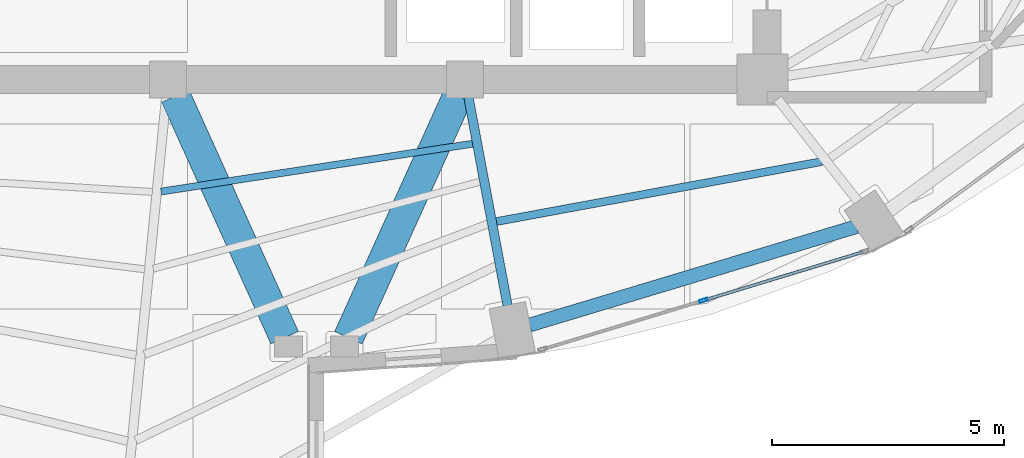
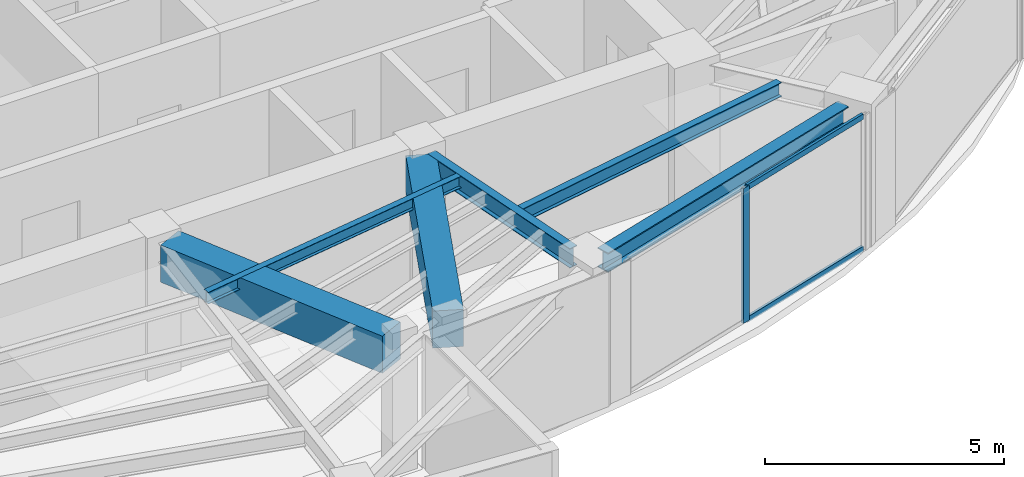
# One storey, part 6 of 22: 6 beams, 3 members, 1 element without a shape of its own.
"""IFC4 building model written with IfcOpenShell, lengths in metres."""

from ifc_helpers import new_model, si_unit, direction, frame, origin, origin_2d, place, context, subcontext, project, spatial, rectangle, hollow_rectangle, i_section, extrude, material, layer, layer_set, material_profile, profile_set, type_object, element, aggregate, save


model = new_model("IFC4")

# Units and contexts
model_context = context("Model", 3, precision=1e-05, world=origin(), true_north=direction((0.0, 1.0)))
body_context = subcontext(model_context, "Body", "Model", "MODEL_VIEW")
ifc_project = project(units=[si_unit("LENGTHUNIT", "METRE"), si_unit("AREAUNIT", "SQUARE_METRE"), si_unit("VOLUMEUNIT", "CUBIC_METRE"), si_unit("PLANEANGLEUNIT", "RADIAN"), si_unit("MASSUNIT", "GRAM", prefix="KILO")], contexts=[model_context])

# Site, building, storey
site_placement = place(None, origin())
site = spatial("IfcSite", under=ifc_project, at=site_placement, CompositionType="ELEMENT")
building_placement = place(site_placement, origin())
building = spatial("IfcBuilding", under=site, at=building_placement, Name="Lazwardi Medical Tower", CompositionType="ELEMENT")
storey_placement = place(building_placement, frame((0.0, 0.0, 224.01611328125)))
storey = spatial("IfcBuildingStorey", under=building, at=storey_placement, Name="L58", CompositionType="ELEMENT", Elevation=224.01611328125)

# Beams
ifc_material_1 = material(Name="Concrete C60/75", Category="concrete")
ifc_material_profile_1 = material_profile(ifc_material_1, rectangle(XDim=0.64990234375, YDim=0.949951171875, at=origin_2d()), Name="RC 650x950")
ifc_profile_set_1 = profile_set([ifc_material_profile_1], Name="Concrete C60/75")
beam_type_1 = type_object("IfcBeamType", Name="BM-CB-RC2", PredefinedType="LINTEL", material=ifc_profile_set_1)
for number, where, z_axis, x_axis, name in (
    (1, (32.95849609375, 20.04931640625, 2.972900390625), (0.412019279944, -0.911175127489, 0.0), (0.911175127489, 0.412019279944, 0.0), "Core coupling lintel CB-02 PL3 L58"),
    (2, (39.04150390625, 20.04931640625, 2.972900390625), (-0.412019279944, -0.911175127489, 0.0), (0.911175127489, -0.412019279944, 0.0), "Core coupling lintel CB-02 PL4 L58"),
):
    element("IfcBeam", number, at=place(storey_placement, frame(where, z_axis=z_axis, x_axis=x_axis)), inside=storey, type_object=beam_type_1, Name=name, PredefinedType="LINTEL", context=body_context, shape_type="SweptSolid", body=[
        extrude(rectangle(XDim=0.64990234375, YDim=0.949951171875, at=origin_2d()), origin(), (0.0, 0.0, 1.0), 5.7158203125),
    ])
ifc_material_2 = material(Name="Steel S355", Category="steel")
ifc_material_profile_2 = material_profile(ifc_material_2, i_section(OverallWidth=0.300048828125, OverallDepth=0.5, WebThickness=0.014404296875, FlangeThickness=0.028076171875, at=origin_2d()), Name="HEB 500")
ifc_profile_set_2 = profile_set([ifc_material_profile_2], Name="Steel S355")
beam_type_2 = type_object("IfcBeamType", Name="BM-RB-Z4", PredefinedType="BEAM", material=ifc_profile_set_2)
beam_1_placement = place(storey_placement, frame((40.58740234375, 15.114013671875, 3.197998046875), z_axis=(0.957544311906, 0.288286126506, 0.0), x_axis=(-0.288286126506, 0.957544311906, 0.0)))
element("IfcBeam", 3, at=beam_1_placement, inside=storey, type_object=beam_type_2, Name="Ring beam RB-05 B01 L58", PredefinedType="BEAM", context=body_context, shape_type="SweptSolid", body=[
    extrude(i_section(OverallWidth=0.300048828125, OverallDepth=0.5, WebThickness=0.014404296875, FlangeThickness=0.028076171875, at=origin_2d()), origin(), (0.0, 0.0, 1.0), 7.3515625),
])
ifc_material_profile_3 = material_profile(ifc_material_2, i_section(OverallWidth=0.199951171875, OverallDepth=0.5, WebThickness=0.01025390625, FlangeThickness=0.01611328125, at=origin_2d()), Name="IPE 500")
ifc_profile_set_3 = profile_set([ifc_material_profile_3], Name="Steel S355")
beam_type_3 = type_object("IfcBeamType", Name="BM-RG-W3", PredefinedType="BEAM", material=ifc_profile_set_3)
beam_2_placement = place(storey_placement, frame((40.115234375, 15.527587890625, 3.197998046875), z_axis=(-0.184633463507, 0.982807450192, 0.0), x_axis=(-0.982807450192, -0.184633463507, 0.0)))
element("IfcBeam", 4, at=beam_2_placement, inside=storey, type_object=beam_type_3, Name="Radial girder RG-04 R01 L58", PredefinedType="BEAM", context=body_context, shape_type="SweptSolid", body=[
    extrude(i_section(OverallWidth=0.199951171875, OverallDepth=0.5, WebThickness=0.01025390625, FlangeThickness=0.01611328125, at=origin_2d()), origin(), (0.0, 0.0, 1.0), 4.572509765625),
])
ifc_material_profile_4 = material_profile(ifc_material_2, i_section(OverallWidth=0.169921875, OverallDepth=0.360107421875, WebThickness=0.008056640625, FlangeThickness=0.0126953125, at=origin_2d()), Name="IPE 360")
ifc_profile_set_4 = profile_set([ifc_material_profile_4], Name="Steel S355")
beam_type_4 = type_object("IfcBeamType", Name="BM-SJ-02", PredefinedType="JOIST", material=ifc_profile_set_4)
beam_3_placement = place(storey_placement, frame((39.87109375, 17.34228515625, 3.267822265625), z_axis=(0.983427965623, 0.181299300688, 0.0), x_axis=(-0.181299300688, 0.983427965623, 0.0)))
element("IfcBeam", 5, at=beam_3_placement, inside=storey, type_object=beam_type_4, Name="Secondary joist SJ-02 R2 B01 L58", PredefinedType="JOIST", context=body_context, shape_type="SweptSolid", body=[
    extrude(i_section(OverallWidth=0.169921875, OverallDepth=0.360107421875, WebThickness=0.008056640625, FlangeThickness=0.0126953125, at=origin_2d()), origin(), (0.0, 0.0, 1.0), 7.127685546875),
])
ifc_material_profile_5 = material_profile(ifc_material_2, i_section(OverallWidth=0.14990234375, OverallDepth=0.300048828125, WebThickness=0.007080078125, FlangeThickness=0.0107421875, at=origin_2d()), Name="IPE 300")
ifc_profile_set_5 = profile_set([ifc_material_profile_5], Name="Steel S355")
beam_type_5 = type_object("IfcBeamType", Name="BM-SJ-03", PredefinedType="JOIST", material=ifc_profile_set_5)
beam_4_placement = place(storey_placement, frame((32.652587890625, 17.989013671875, 3.2978515625), z_axis=(0.988433562862, 0.151654514629, 0.0), x_axis=(-0.151654514629, 0.988433562862, 0.0)))
element("IfcBeam", 6, at=beam_4_placement, inside=storey, type_object=beam_type_5, Name="Secondary joist SJ-03 R4 B16 L58", PredefinedType="JOIST", context=body_context, shape_type="SweptSolid", body=[
    extrude(i_section(OverallWidth=0.14990234375, OverallDepth=0.300048828125, WebThickness=0.007080078125, FlangeThickness=0.0107421875, at=origin_2d()), origin(), (0.0, 0.0, 1.0), 6.788818359375),
])

# Curtain wall, members
ifc_material_3 = material(Name="Anodised bronze aluminium and solar control glazing", Category="aluminium")
ifc_layer = layer(ifc_material_3, 0.18994140625)
ifc_layer_set = layer_set([ifc_layer], Name="Anodised bronze aluminium and solar control glazing")
curtain_wall_type = type_object("IfcCurtainWallType", Name="CW-SYS-04", PredefinedType="NOTDEFINED", material=ifc_layer_set)
curtain_wall_placement = place(storey_placement, origin())
curtain_wall = element("IfcCurtainWall", 7, at=curtain_wall_placement, inside=storey, type_object=curtain_wall_type, Name="L58 Unitised bronze curtain wall CW-04", PredefinedType="NOTDEFINED")
ifc_material_4 = material(Name="Anodised bronze aluminium", Category="aluminium")
ifc_material_profile_6 = material_profile(ifc_material_4, hollow_rectangle(XDim=0.06494140625, YDim=0.179931640625, WallThickness=0.00390625, at=origin_2d()), Name="ALU-MULLION 180x65x4")
ifc_profile_set_6 = profile_set([ifc_material_profile_6], Name="Anodised bronze aluminium")
member_type_1 = type_object("IfcMemberType", Name="CW-MUL-03", PredefinedType="MULLION", material=ifc_profile_set_6)
member_1_placement = place(storey_placement, frame((44.33642578125, 15.644775390625, 0.0), z_axis=(0.0, 0.0, 1.0), x_axis=(-0.290581889515, 0.956850126972, 0.0)))
member_1 = element("IfcMember", 8, at=member_1_placement, type_object=member_type_1, Name="CW-04 mullion 2", PredefinedType="MULLION", context=body_context, shape_type="SweptSolid", body=[
    extrude(hollow_rectangle(XDim=0.06494140625, YDim=0.179931640625, WallThickness=0.00390625, at=origin_2d()), origin(), (0.0, 0.0, 1.0), 3.447998046875),
])
ifc_material_profile_7 = material_profile(ifc_material_4, hollow_rectangle(XDim=0.06494140625, YDim=0.139892578125, WallThickness=0.00341796875, at=origin_2d()), Name="ALU-TRANSOM 140x65x3.5")
ifc_profile_set_7 = profile_set([ifc_material_profile_7], Name="Anodised bronze aluminium")
member_type_2 = type_object("IfcMemberType", Name="CW-TRN-03", PredefinedType="USERDEFINED", material=ifc_profile_set_7)
member_2_placement = place(storey_placement, frame((44.367431640625, 15.654052734375, 0.032470703125), z_axis=(0.956843409009, 0.290604010015, 0.0), x_axis=(-0.290604010015, 0.956843409009, 0.0)))
member_2 = element("IfcMember", 9, at=member_2_placement, type_object=member_type_2, Name="CW-04 transom 2.1", ObjectType="TRANSOM", PredefinedType="USERDEFINED", context=body_context, shape_type="SweptSolid", body=[
    extrude(hollow_rectangle(XDim=0.06494140625, YDim=0.139892578125, WallThickness=0.00341796875, at=origin_2d()), origin(), (0.0, 0.0, 1.0), 3.554443359375),
])
member_3_placement = place(storey_placement, frame((44.367431640625, 15.654052734375, 3.415283203125), z_axis=(0.956843409009, 0.290604010015, 0.0), x_axis=(-0.290604010015, 0.956843409009, 0.0)))
member_3 = element("IfcMember", 10, at=member_3_placement, type_object=member_type_2, Name="CW-04 transom 2.2", ObjectType="TRANSOM", PredefinedType="USERDEFINED", context=body_context, shape_type="SweptSolid", body=[
    extrude(hollow_rectangle(XDim=0.06494140625, YDim=0.139892578125, WallThickness=0.00341796875, at=origin_2d()), origin(), (0.0, 0.0, 1.0), 3.554443359375),
])
aggregate(curtain_wall, [member_1, member_2, member_3])

save(model, "model.ifc")
